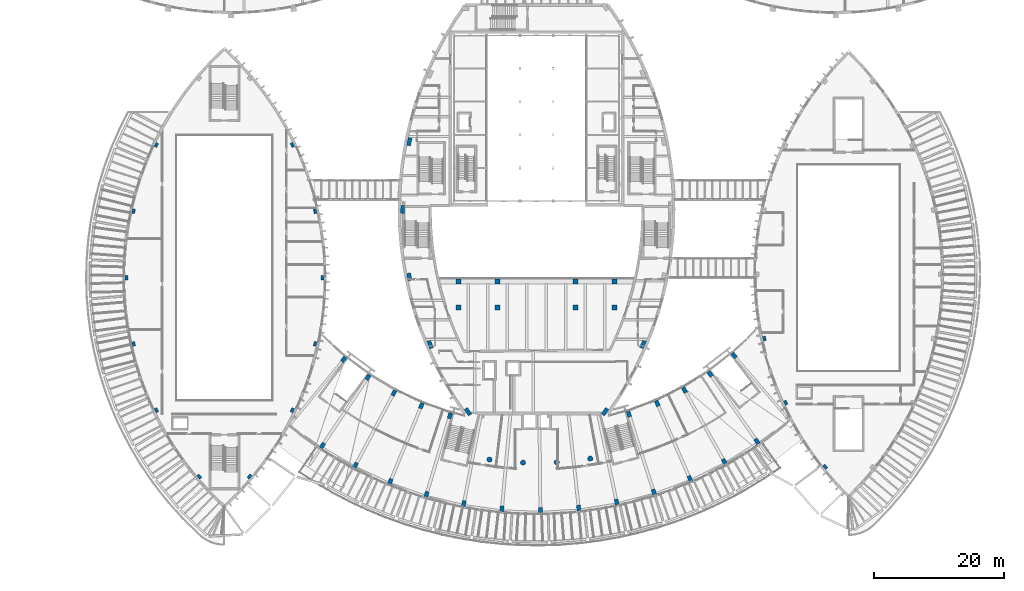
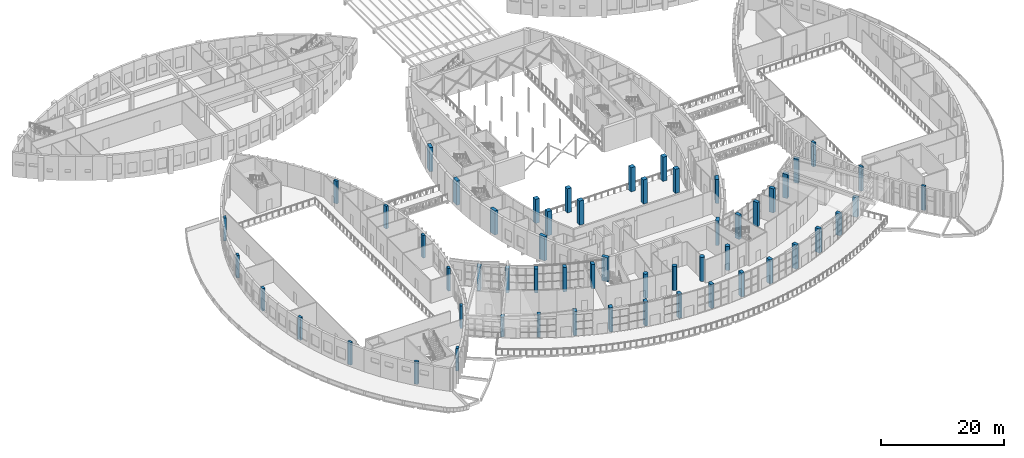
# One storey, part 1 of 93: 57 columns.
"""IFC4 building model written with IfcOpenShell, lengths in metres."""

from ifc_helpers import new_model, si_unit, direction, frame, origin, origin_2d, place, context, subcontext, project, spatial, rectangle, circle, extrude, material, material_profile, profile_set, type_object, element, save


model = new_model("IFC4")

# Units and contexts
model_context = context("Model", 3, precision=1e-05, world=origin(), true_north=direction((0.0, 1.0)))
body_context = subcontext(model_context, "Body", "Model", "MODEL_VIEW")
ifc_project = project(units=[si_unit("LENGTHUNIT", "METRE"), si_unit("AREAUNIT", "SQUARE_METRE"), si_unit("VOLUMEUNIT", "CUBIC_METRE"), si_unit("PLANEANGLEUNIT", "RADIAN"), si_unit("MASSUNIT", "GRAM", prefix="KILO")], contexts=[model_context])

# Site, building, storey
site_placement = place(None, origin())
site = spatial("IfcSite", under=ifc_project, at=site_placement, CompositionType="ELEMENT")
building_placement = place(site_placement, origin())
building = spatial("IfcBuilding", under=site, at=building_placement, Name="Tide Square Theatres", CompositionType="ELEMENT")
storey_placement = place(building_placement, frame((0.0, 0.0, 5.39990234375)))
storey = spatial("IfcBuildingStorey", under=building, at=storey_placement, Name="L01", CompositionType="ELEMENT", Elevation=5.39990234375)

# Columns
ifc_material_1 = material(Name="Concrete C40", Category="concrete")
ifc_material_profile_1 = material_profile(ifc_material_1, rectangle(XDim=0.800048828125, YDim=0.800048828125, at=origin_2d()))
ifc_profile_set_1 = profile_set([ifc_material_profile_1], Name="Concrete C40")
column_type_1 = type_object("IfcColumnType", Name="RC column 800 x 800", PredefinedType="COLUMN", material=ifc_profile_set_1)
for number, where, z_axis, x_axis, name in (
    (1, (72.0, 43.89990234375, 0.0), (0.0, 0.0, 1.0), (1.0, 0.0, 0.0), "Circle front column"),
    (2, (78.0, 43.89990234375, 0.0), (0.0, 0.0, 1.0), (1.0, 0.0, 0.0), "Circle front column"),
    (3, (90.0, 43.89990234375, 0.0), (0.0, 0.0, 1.0), (1.0, 0.0, 0.0), "Circle front column"),
    (4, (96.0, 43.89990234375, 0.0), (0.0, 0.0, 1.0), (1.0, 0.0, 0.0), "Circle front column"),
    (5, (72.0, 39.89990234375, 0.0), (0.0, 0.0, 1.0), (1.0, 0.0, 0.0), "Circle front column"),
    (6, (78.0, 39.89990234375, 0.0), (0.0, 0.0, 1.0), (1.0, 0.0, 0.0), "Circle front column"),
    (7, (90.0, 39.89990234375, 0.0), (0.0, 0.0, 1.0), (1.0, 0.0, 0.0), "Circle front column"),
    (8, (96.0, 39.89990234375, 0.0), (0.0, 0.0, 1.0), (1.0, 0.0, 0.0), "Circle front column"),
):
    element("IfcColumn", number, at=place(storey_placement, frame(where, z_axis=z_axis, x_axis=x_axis)), inside=storey, type_object=column_type_1, Name=name, PredefinedType="COLUMN", context=body_context, shape_type="SweptSolid", body=[
        extrude(rectangle(XDim=0.800048828125, YDim=0.800048828125, at=origin_2d()), origin(), (0.0, 0.0, 1.0), 4.800048828125),
    ])
ifc_material_2 = material(Name="Concrete C40", Category="concrete")
ifc_material_profile_2 = material_profile(ifc_material_2, rectangle(XDim=1.199951171875, YDim=0.60009765625, at=origin_2d()))
ifc_profile_set_2 = profile_set([ifc_material_profile_2], Name="Concrete C40")
column_type_2 = type_object("IfcColumnType", Name="RC pier 1200 x 600", PredefinedType="PILASTER", material=ifc_profile_set_2)
for number, where, z_axis, x_axis, name in (
    (9, (94.5400390625, 23.878173828125, 0.0), (0.0, 0.0, 1.0), (0.562978035902, 0.82647185741, 0.0), "Rib foot pier"),
    (10, (100.35986328125, 34.2119140625, 0.0), (0.0, 0.0, 1.0), (0.416344267901, 0.90920704495, 0.0), "Rib foot pier"),
    (11, (73.4599609375, 23.878173828125, 0.0), (0.0, 0.0, 1.0), (0.562978035902, -0.82647185741, 0.0), "Rib foot pier"),
    (12, (67.651123046875, 34.185791015625, 0.0), (0.0, 0.0, 1.0), (0.366955870742, -0.930238350601, 0.0), "Rib foot pier"),
    (13, (64.443115234375, 44.58642578125, 0.0), (0.0, 0.0, 1.0), (0.171172540003, -0.985241067734, 0.0), "Rib foot pier"),
    (14, (63.414794921875, 54.987060546875, 0.0), (0.0, 0.0, 1.0), (-0.024571762574, -0.999698068661, 0.0), "Rib foot pier"),
    (15, (64.43798828125, 65.3876953125, 0.0), (0.0, 0.0, 1.0), (-0.220356962886, -0.975419299024, 0.0), "Rib foot pier"),
):
    element("IfcColumn", number, at=place(storey_placement, frame(where, z_axis=z_axis, x_axis=x_axis)), inside=storey, type_object=column_type_2, Name=name, PredefinedType="PILASTER", context=body_context, shape_type="SweptSolid", body=[
        extrude(rectangle(XDim=1.199951171875, YDim=0.60009765625, at=origin_2d()), origin(), (0.0, 0.0, 1.0), 4.800048828125),
    ])
ifc_material_3 = material(Name="Concrete C40", Category="concrete")
ifc_material_profile_3 = material_profile(ifc_material_3, rectangle(XDim=0.699951171875, YDim=0.449951171875, at=origin_2d()))
ifc_profile_set_3 = profile_set([ifc_material_profile_3], Name="Concrete C40")
column_type_3 = type_object("IfcColumnType", Name="RC pier 700 x 450", PredefinedType="PILASTER", material=ifc_profile_set_3)
for number, where, z_axis, x_axis, name in (
    (16, (39.86279296875, 13.90380859375, 0.0), (0.0, 0.0, 1.0), (0.646183644891, 0.763181955418, 0.0), "Studio Theatre wall pier"),
    (17, (46.452392578125, 24.103515625, 0.0), (0.0, 0.0, 1.0), (0.433813735983, 0.901002576285, 0.0), "Studio Theatre wall pier"),
    (18, (49.95703125, 34.3017578125, 0.0), (0.0, 0.0, 1.0), (0.216640755448, 0.976251393381, 0.0), "Studio Theatre wall pier"),
    (19, (51.06787109375, 44.5, 0.0), (0.0, 0.0, 1.0), (0.0, 1.0, 0.0), "Studio Theatre wall pier"),
    (20, (49.95703125, 54.6982421875, 0.0), (0.0, 0.0, 1.0), (-0.216640755448, 0.976251393381, 0.0), "Studio Theatre wall pier"),
    (21, (46.452392578125, 64.896484375, 0.0), (0.0, 0.0, 1.0), (-0.433813735983, 0.901002576285, 0.0), "Studio Theatre wall pier"),
    (22, (32.13720703125, 13.90380859375, 0.0), (0.0, 0.0, 1.0), (0.646183644891, -0.763181955418, 0.0), "Studio Theatre wall pier"),
    (23, (25.547607421875, 24.103515625, 0.0), (0.0, 0.0, 1.0), (0.433813735983, -0.901002576285, 0.0), "Studio Theatre wall pier"),
    (24, (22.04296875, 34.3017578125, 0.0), (0.0, 0.0, 1.0), (0.216640755448, -0.976251393381, 0.0), "Studio Theatre wall pier"),
    (25, (20.93212890625, 44.5, 0.0), (0.0, 0.0, 1.0), (0.0, -1.0, 0.0), "Studio Theatre wall pier"),
    (26, (22.04296875, 54.6982421875, 0.0), (0.0, 0.0, 1.0), (-0.216640755448, -0.976251393381, 0.0), "Studio Theatre wall pier"),
    (27, (25.547607421875, 64.896484375, 0.0), (0.0, 0.0, 1.0), (-0.433813735983, -0.901002576285, 0.0), "Studio Theatre wall pier"),
):
    element("IfcColumn", number, at=place(storey_placement, frame(where, z_axis=z_axis, x_axis=x_axis)), inside=storey, type_object=column_type_3, Name=name, PredefinedType="PILASTER", context=body_context, shape_type="SweptSolid", body=[
        extrude(rectangle(XDim=0.699951171875, YDim=0.449951171875, at=origin_2d()), origin(), (0.0, 0.0, 1.0), 4.5),
    ])
for number, where, z_axis, x_axis, name in (
    (28, (128.390625, 15.390869140625, 0.0), (0.0, 0.0, 1.0), (0.625818839057, -0.779968448517, 0.0), "Black Box Theatre wall pier"),
    (29, (122.305908203125, 25.261474609375, 0.0), (0.0, 0.0, 1.0), (0.419559661178, -0.907727762444, 0.0), "Black Box Theatre wall pier"),
    (30, (119.037353515625, 35.130615234375, 0.0), (0.0, 0.0, 1.0), (0.20956121082, -0.977795530221, 0.0), "Black Box Theatre wall pier"),
):
    element("IfcColumn", number, at=place(storey_placement, frame(where, z_axis=z_axis, x_axis=x_axis)), inside=storey, type_object=column_type_3, Name=name, PredefinedType="PILASTER", context=body_context, shape_type="SweptSolid", body=[
        extrude(rectangle(XDim=0.699951171875, YDim=0.449951171875, at=origin_2d()), origin(), (0.0, 0.0, 1.0), 4.800048828125),
    ])
ifc_material_4 = material(Name="Concrete C40", Category="concrete")
ifc_material_profile_4 = material_profile(ifc_material_4, rectangle(XDim=0.89990234375, YDim=0.60009765625, at=origin_2d()))
ifc_profile_set_4 = profile_set([ifc_material_profile_4], Name="Concrete C40")
column_type_4 = type_object("IfcColumnType", Name="RC pier 900 x 600", PredefinedType="PILASTER", material=ifc_profile_set_4)
column_1_placement = place(storey_placement, frame((54.338134765625, 31.9296875, 0.0), z_axis=(0.0, 0.0, 1.0), x_axis=(-0.63515659779, -0.772383386851, 0.0)))
element("IfcColumn", 31, at=column_1_placement, inside=storey, type_object=column_type_4, Name="Foyer inner pier", PredefinedType="PILASTER", context=body_context, shape_type="SweptSolid", body=[
    extrude(rectangle(XDim=0.89990234375, YDim=0.60009765625, at=origin_2d()), origin(), (0.0, 0.0, 1.0), 4.7998046875),
])
column_2_placement = place(storey_placement, frame((51.08251953125, 18.67529296875, 0.0), z_axis=(0.0, 0.0, 1.0), x_axis=(-0.555099959227, -0.831783646909, 0.0)))
element("IfcColumn", 32, at=column_2_placement, inside=storey, type_object=column_type_4, Name="Foyer outer pier", PredefinedType="PILASTER", context=body_context, shape_type="SweptSolid", body=[
    extrude(rectangle(XDim=0.89990234375, YDim=0.60009765625, at=origin_2d()), origin(), (0.0, 0.0, 1.0), 3.950927734375),
])
column_3_placement = place(storey_placement, frame((58.076904296875, 29.15576171875, 0.0), z_axis=(0.0, 0.0, 1.0), x_axis=(-0.555099959227, -0.831783646909, 0.0)))
element("IfcColumn", 33, at=column_3_placement, inside=storey, type_object=column_type_4, Name="Foyer inner pier", PredefinedType="PILASTER", context=body_context, shape_type="SweptSolid", body=[
    extrude(rectangle(XDim=0.89990234375, YDim=0.60009765625, at=origin_2d()), origin(), (0.0, 0.0, 1.0), 4.800048828125),
])
column_4_placement = place(storey_placement, frame((56.156982421875, 15.64306640625, 0.0), z_axis=(0.0, 0.0, 1.0), x_axis=(-0.469527039093, -0.882918093348, 0.0)))
element("IfcColumn", 34, at=column_4_placement, inside=storey, type_object=column_type_4, Name="Foyer outer pier", PredefinedType="PILASTER", context=body_context, shape_type="SweptSolid", body=[
    extrude(rectangle(XDim=0.89990234375, YDim=0.60009765625, at=origin_2d()), origin(), (0.0, 0.0, 1.0), 4.480712890625),
])
for number, where, z_axis, x_axis, name in (
    (35, (62.072998046875, 26.767578125, 0.0), (0.0, 0.0, 1.0), (-0.469527039093, -0.882918093348, 0.0), "Foyer inner pier"),
    (36, (61.50830078125, 13.131103515625, 0.0), (0.0, 0.0, 1.0), (-0.379288214538, -0.925278579841, 0.0), "Foyer outer pier"),
    (37, (66.287109375, 24.78955078125, 0.0), (0.0, 0.0, 1.0), (-0.379288214538, -0.925278579841, 0.0), "Foyer inner pier"),
    (38, (67.082763671875, 11.164306640625, 0.0), (0.0, 0.0, 1.0), (-0.285281902737, -0.958443652997, 0.0), "Foyer outer pier"),
    (39, (70.677490234375, 23.24072265625, 0.0), (0.0, 0.0, 1.0), (-0.285281902737, -0.958443652997, 0.0), "Foyer inner pier"),
    (40, (72.82568359375, 9.762451171875, 0.0), (0.0, 0.0, 1.0), (-0.188438999586, -0.982084896246, 0.0), "Foyer outer pier"),
    (41, (78.679443359375, 8.939208984375, 0.0), (0.0, 0.0, 1.0), (-0.089723492117, -0.995966713782, 0.0), "Foyer outer pier"),
    (42, (84.586181640625, 8.702880859375, 0.0), (0.0, 0.0, 1.0), (0.009883638631, -0.999951155651, 0.0), "Foyer outer pier"),
    (43, (90.487060546875, 9.055908203125, 0.0), (0.0, 0.0, 1.0), (0.109392551153, -0.993998626635, 0.0), "Foyer outer pier"),
    (44, (96.323486328125, 9.99462890625, 0.0), (0.0, 0.0, 1.0), (0.207814379981, -0.978168279732, 0.0), "Foyer outer pier"),
    (45, (102.037353515625, 11.509765625, 0.0), (0.0, 0.0, 1.0), (0.304171062495, -0.952617428321, 0.0), "Foyer outer pier"),
    (46, (98.204833984375, 23.5126953125, 0.0), (0.0, 0.0, 1.0), (0.304171062495, -0.952617428321, 0.0), "Foyer inner pier"),
    (47, (107.572021484375, 13.586181640625, 0.0), (0.0, 0.0, 1.0), (0.397505058376, -0.917599982871, 0.0), "Foyer outer pier"),
    (48, (102.5634765625, 25.148193359375, 0.0), (0.0, 0.0, 1.0), (0.397505058376, -0.917599982871, 0.0), "Foyer inner pier"),
):
    element("IfcColumn", number, at=place(storey_placement, frame(where, z_axis=z_axis, x_axis=x_axis)), inside=storey, type_object=column_type_4, Name=name, PredefinedType="PILASTER", context=body_context, shape_type="SweptSolid", body=[
        extrude(rectangle(XDim=0.89990234375, YDim=0.60009765625, at=origin_2d()), origin(), (0.0, 0.0, 1.0), 4.800048828125),
    ])
column_5_placement = place(storey_placement, frame((112.87255859375, 16.20361328125, 0.0), z_axis=(0.0, 0.0, 1.0), x_axis=(0.486888865121, -0.873463927716, 0.0)))
element("IfcColumn", 49, at=column_5_placement, inside=storey, type_object=column_type_4, Name="Foyer outer pier", PredefinedType="PILASTER", context=body_context, shape_type="SweptSolid", body=[
    extrude(rectangle(XDim=0.89990234375, YDim=0.60009765625, at=origin_2d()), origin(), (0.0, 0.0, 1.0), 4.356689453125),
])
column_6_placement = place(storey_placement, frame((106.73779296875, 27.209228515625, 0.0), z_axis=(0.0, 0.0, 1.0), x_axis=(0.486888865121, -0.873463927716, 0.0)))
element("IfcColumn", 50, at=column_6_placement, inside=storey, type_object=column_type_4, Name="Foyer inner pier", PredefinedType="PILASTER", context=body_context, shape_type="SweptSolid", body=[
    extrude(rectangle(XDim=0.89990234375, YDim=0.60009765625, at=origin_2d()), origin(), (0.0, 0.0, 1.0), 4.800048828125),
])
column_7_placement = place(storey_placement, frame((117.885986328125, 19.335693359375, 0.0), z_axis=(0.0, 0.0, 1.0), x_axis=(0.571434235059, -0.820647862973, 0.0)))
element("IfcColumn", 51, at=column_7_placement, inside=storey, type_object=column_type_4, Name="Foyer outer pier", PredefinedType="PILASTER", context=body_context, shape_type="SweptSolid", body=[
    extrude(rectangle(XDim=0.89990234375, YDim=0.60009765625, at=origin_2d()), origin(), (0.0, 0.0, 1.0), 3.878662109375),
])
column_8_placement = place(storey_placement, frame((110.68603515625, 29.67578125, 0.0), z_axis=(0.0, 0.0, 1.0), x_axis=(0.571434235059, -0.820647862973, 0.0)))
element("IfcColumn", 52, at=column_8_placement, inside=storey, type_object=column_type_4, Name="Foyer inner pier", PredefinedType="PILASTER", context=body_context, shape_type="SweptSolid", body=[
    extrude(rectangle(XDim=0.89990234375, YDim=0.60009765625, at=origin_2d()), origin(), (0.0, 0.0, 1.0), 4.800048828125),
])
column_9_placement = place(storey_placement, frame((114.368896484375, 32.523193359375, 0.0), z_axis=(0.0, 0.0, 1.0), x_axis=(0.650301002274, -0.759676645976, 0.0)))
element("IfcColumn", 53, at=column_9_placement, inside=storey, type_object=column_type_4, Name="Foyer inner pier", PredefinedType="PILASTER", context=body_context, shape_type="SweptSolid", body=[
    extrude(rectangle(XDim=0.89990234375, YDim=0.60009765625, at=origin_2d()), origin(), (0.0, 0.0, 1.0), 4.78759765625),
])
ifc_material_5 = material(Name="Concrete C40", Category="concrete")
ifc_material_profile_5 = material_profile(ifc_material_5, circle(Radius=0.39990234375, at=origin_2d()))
ifc_profile_set_5 = profile_set([ifc_material_profile_5], Name="Concrete C40")
column_type_5 = type_object("IfcColumnType", Name="RC round column D800", PredefinedType="COLUMN", material=ifc_profile_set_5)
for number, where, z_axis, x_axis, name in (
    (54, (76.7587890625, 16.506591796875, 0.0), (0.0, 0.0, 1.0), (1.0, 0.0, 0.0), "Foyer feature column"),
    (55, (81.921630859375, 16.04150390625, 0.0), (0.0, 0.0, 1.0), (1.0, 0.0, 0.0), "Foyer feature column"),
    (56, (87.10498046875, 16.0927734375, 0.0), (0.0, 0.0, 1.0), (1.0, 0.0, 0.0), "Foyer feature column"),
    (57, (92.2578125, 16.659912109375, 0.0), (0.0, 0.0, 1.0), (1.0, 0.0, 0.0), "Foyer feature column"),
):
    element("IfcColumn", number, at=place(storey_placement, frame(where, z_axis=z_axis, x_axis=x_axis)), inside=storey, type_object=column_type_5, Name=name, PredefinedType="COLUMN", context=body_context, shape_type="SweptSolid", body=[
        extrude(circle(Radius=0.39990234375, at=origin_2d()), origin(), (0.0, 0.0, 1.0), 4.800048828125),
    ])

save(model, "model.ifc")
